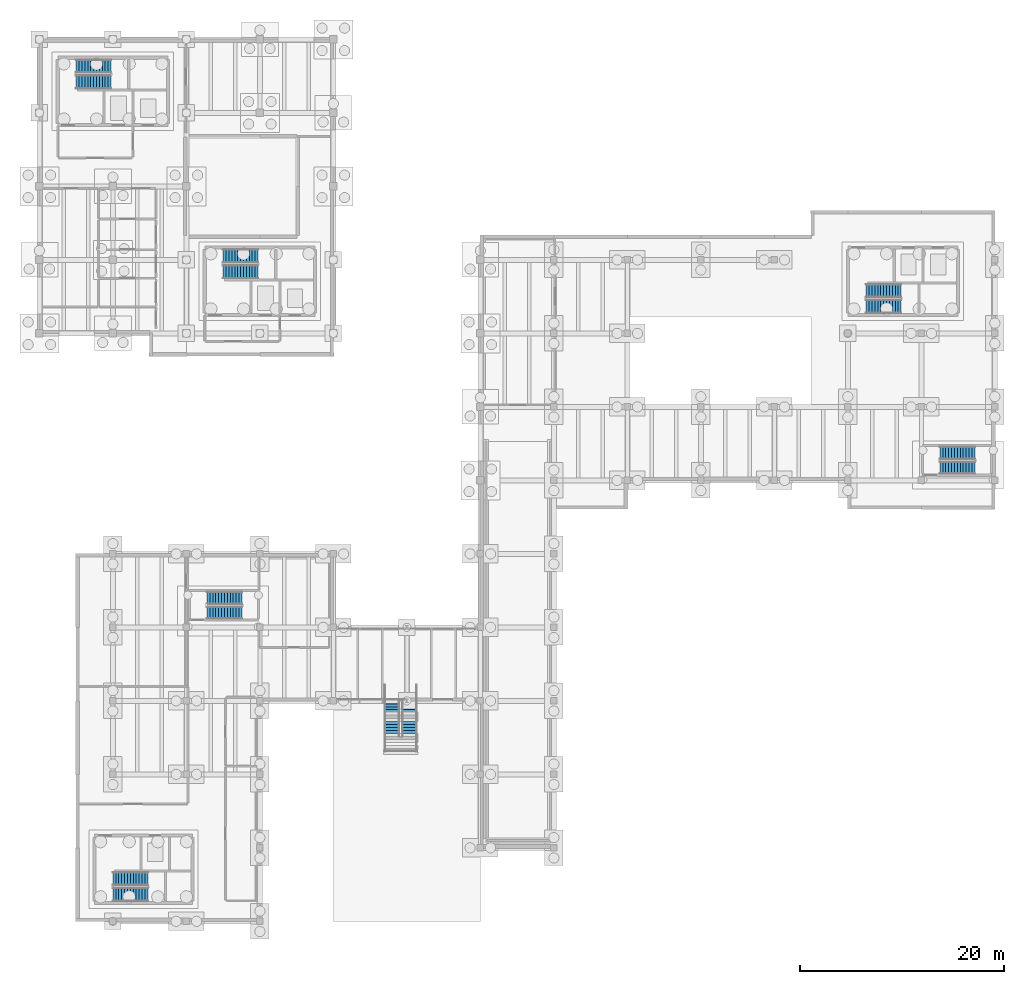
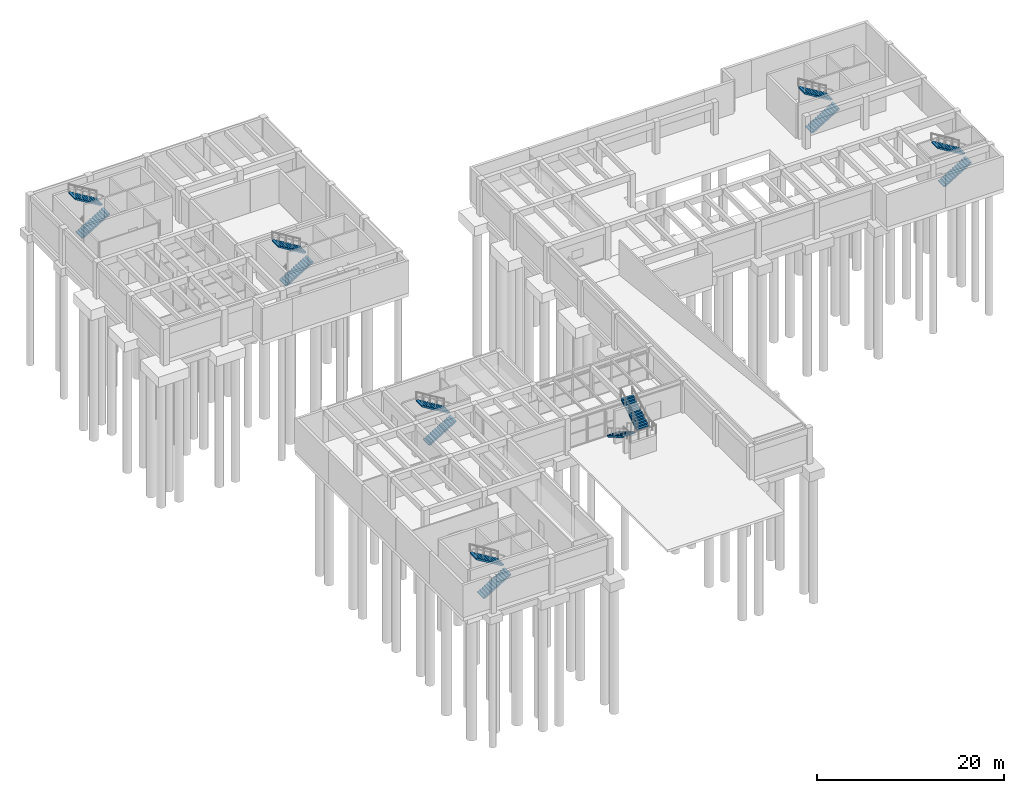
# One storey, part 22 of 28: 14 stair flights, 7 elements without a shape of their own.
"""IFC4 building model written with IfcOpenShell, lengths in metres."""

from ifc_helpers import new_model, si_unit, direction, frame, origin, place, context, subcontext, project, spatial, polyline, outline, extrude, material, type_object, element, aggregate, save


model = new_model("IFC4")

# Units and contexts
model_context = context("Model", 3, precision=1e-05, world=origin(), true_north=direction((0.0, 1.0)))
body_context = subcontext(model_context, "Body", "Model", "MODEL_VIEW")
ifc_project = project(units=[si_unit("LENGTHUNIT", "METRE"), si_unit("AREAUNIT", "SQUARE_METRE"), si_unit("VOLUMEUNIT", "CUBIC_METRE"), si_unit("PLANEANGLEUNIT", "RADIAN"), si_unit("MASSUNIT", "GRAM", prefix="KILO")], contexts=[model_context])

# Site, building, storey
site_placement = place(None, origin())
site = spatial("IfcSite", under=ifc_project, at=site_placement, CompositionType="ELEMENT")
building_placement = place(site_placement, origin())
building = spatial("IfcBuilding", under=site, at=building_placement, Name="Bramvelor Terrace Health Centre", CompositionType="ELEMENT")
storey_placement = place(building_placement, frame((0.0, 0.0, -4.5)))
storey = spatial("IfcBuildingStorey", under=building, at=storey_placement, Name="B1", CompositionType="ELEMENT", Elevation=-4.5)

# Stair, stair flights
ifc_material_1 = material(Name="Concrete C40/50", Category="concrete")
stair_type_1 = type_object("IfcStairType", Name="STR-CORE", PredefinedType="HALF_TURN_STAIR", material=ifc_material_1)
stair_1_placement = place(storey_placement, origin())
stair_1 = element("IfcStair", 1, at=stair_1_placement, inside=storey, type_object=stair_type_1, Name="B1 C1 Primary Fire Stair", PredefinedType="HALF_TURN_STAIR")
ifc_material_2 = material(Name="Concrete C40/50", Category="concrete")
stair_flight_type_1 = type_object("IfcStairFlightType", Name="STRF-CORE", PredefinedType="STRAIGHT", material=ifc_material_2)
stair_flight_1_placement = place(storey_placement, frame((3.60009765625, 111.02490234375, 0.0), z_axis=(0.0, 0.0, 1.0), x_axis=(1.0, 0.0, 0.0)))
stair_flight_1 = element("IfcStairFlight", 2, at=stair_flight_1_placement, type_object=stair_flight_type_1, Name="ST-1 flight 1", NumberOfRisers=13, NumberOfTreads=12, PredefinedType="STRAIGHT", RiserHeight=0.173076923, TreadLength=0.285, context=body_context, shape_type="SweptSolid", body=[
    extrude(outline(polyline([(0.0, 0.0), (0.0, 0.173095703125), (0.284912109375, 0.173095703125), (0.284912109375, 0.34619140625), (0.570068359375, 0.34619140625), (0.570068359375, 0.519287109375), (0.85498046875, 0.519287109375), (0.85498046875, 0.6923828125), (1.139892578125, 0.6923828125), (1.139892578125, 0.865478515625), (1.425048828125, 0.865478515625), (1.425048828125, 1.03857421875), (1.7099609375, 1.03857421875), (1.7099609375, 1.21142578125), (1.9951171875, 1.21142578125), (1.9951171875, 1.384521484375), (2.280029296875, 1.384521484375), (2.280029296875, 1.5576171875), (2.56494140625, 1.5576171875), (2.56494140625, 1.730712890625), (2.85009765625, 1.730712890625), (2.85009765625, 1.90380859375), (3.135009765625, 1.90380859375), (3.135009765625, 2.076904296875), (3.419921875, 2.076904296875), (3.419921875, 2.25), (3.419921875, 1.901611328125), (0.288818359375, 0.0), (0.0, 0.0)])), frame((0.0, 0.675048828125, 0.0), z_axis=(0.0, -1.0, 0.0), x_axis=(1.0, 0.0, 0.0)), (0.0, 0.0, 1.0), 1.35009765625),
])
stair_flight_2_placement = place(storey_placement, frame((7.02001953125, 112.574951171875, 2.25), z_axis=(0.0, 0.0, 1.0), x_axis=(-1.0, 0.0, 0.0)))
stair_flight_2 = element("IfcStairFlight", 3, at=stair_flight_2_placement, type_object=stair_flight_type_1, Name="ST-1 flight 2", NumberOfRisers=13, NumberOfTreads=12, PredefinedType="STRAIGHT", RiserHeight=0.173076923, TreadLength=0.285, context=body_context, shape_type="SweptSolid", body=[
    extrude(outline(polyline([(0.0, 0.0), (0.0, 0.173095703125), (0.284912109375, 0.173095703125), (0.284912109375, 0.34619140625), (0.570068359375, 0.34619140625), (0.570068359375, 0.519287109375), (0.85498046875, 0.519287109375), (0.85498046875, 0.6923828125), (1.139892578125, 0.6923828125), (1.139892578125, 0.865478515625), (1.425048828125, 0.865478515625), (1.425048828125, 1.03857421875), (1.7099609375, 1.03857421875), (1.7099609375, 1.21142578125), (1.9951171875, 1.21142578125), (1.9951171875, 1.384521484375), (2.280029296875, 1.384521484375), (2.280029296875, 1.5576171875), (2.56494140625, 1.5576171875), (2.56494140625, 1.730712890625), (2.85009765625, 1.730712890625), (2.85009765625, 1.90380859375), (3.135009765625, 1.90380859375), (3.135009765625, 2.076904296875), (3.419921875, 2.076904296875), (3.419921875, 2.25), (3.419921875, 1.901611328125), (0.288818359375, 0.0), (0.0, 0.0)])), frame((0.0, 0.675048828125, 0.0), z_axis=(0.0, -1.0, 0.0), x_axis=(1.0, 0.0, 0.0)), (0.0, 0.0, 1.0), 1.35009765625),
])
aggregate(stair_1, [stair_flight_1, stair_flight_2])

stair_2_placement = place(storey_placement, origin())
stair_2 = element("IfcStair", 4, at=stair_2_placement, inside=storey, type_object=stair_type_1, Name="B1 C2 Primary Fire Stair", PredefinedType="HALF_TURN_STAIR")
stair_flight_3_placement = place(storey_placement, frame((18.0, 92.425048828125, 0.0), z_axis=(0.0, 0.0, 1.0), x_axis=(1.0, 0.0, 0.0)))
stair_flight_3 = element("IfcStairFlight", 5, at=stair_flight_3_placement, type_object=stair_flight_type_1, Name="ST-2 flight 1", NumberOfRisers=13, NumberOfTreads=12, PredefinedType="STRAIGHT", RiserHeight=0.173076923, TreadLength=0.285, context=body_context, shape_type="SweptSolid", body=[
    extrude(outline(polyline([(0.0, 0.0), (0.0, 0.173095703125), (0.284912109375, 0.173095703125), (0.284912109375, 0.34619140625), (0.570068359375, 0.34619140625), (0.570068359375, 0.519287109375), (0.85498046875, 0.519287109375), (0.85498046875, 0.6923828125), (1.139892578125, 0.6923828125), (1.139892578125, 0.865478515625), (1.425048828125, 0.865478515625), (1.425048828125, 1.03857421875), (1.7099609375, 1.03857421875), (1.7099609375, 1.21142578125), (1.9951171875, 1.21142578125), (1.9951171875, 1.384521484375), (2.280029296875, 1.384521484375), (2.280029296875, 1.5576171875), (2.56494140625, 1.5576171875), (2.56494140625, 1.730712890625), (2.85009765625, 1.730712890625), (2.85009765625, 1.90380859375), (3.135009765625, 1.90380859375), (3.135009765625, 2.076904296875), (3.419921875, 2.076904296875), (3.419921875, 2.25), (3.419921875, 1.901611328125), (0.288818359375, 0.0), (0.0, 0.0)])), frame((0.0, 0.675048828125, 0.0), z_axis=(0.0, -1.0, 0.0), x_axis=(1.0, 0.0, 0.0)), (0.0, 0.0, 1.0), 1.35009765625),
])
stair_flight_4_placement = place(storey_placement, frame((21.419921875, 93.97509765625, 2.25), z_axis=(0.0, 0.0, 1.0), x_axis=(-1.0, 0.0, 0.0)))
stair_flight_4 = element("IfcStairFlight", 6, at=stair_flight_4_placement, type_object=stair_flight_type_1, Name="ST-2 flight 2", NumberOfRisers=13, NumberOfTreads=12, PredefinedType="STRAIGHT", RiserHeight=0.173076923, TreadLength=0.285, context=body_context, shape_type="SweptSolid", body=[
    extrude(outline(polyline([(0.0, 0.0), (0.0, 0.173095703125), (0.284912109375, 0.173095703125), (0.284912109375, 0.34619140625), (0.570068359375, 0.34619140625), (0.570068359375, 0.519287109375), (0.85498046875, 0.519287109375), (0.85498046875, 0.6923828125), (1.139892578125, 0.6923828125), (1.139892578125, 0.865478515625), (1.425048828125, 0.865478515625), (1.425048828125, 1.03857421875), (1.7099609375, 1.03857421875), (1.7099609375, 1.21142578125), (1.9951171875, 1.21142578125), (1.9951171875, 1.384521484375), (2.280029296875, 1.384521484375), (2.280029296875, 1.5576171875), (2.56494140625, 1.5576171875), (2.56494140625, 1.730712890625), (2.85009765625, 1.730712890625), (2.85009765625, 1.90380859375), (3.135009765625, 1.90380859375), (3.135009765625, 2.076904296875), (3.419921875, 2.076904296875), (3.419921875, 2.25), (3.419921875, 1.901611328125), (0.288818359375, 0.0), (0.0, 0.0)])), frame((0.0, 0.675048828125, 0.0), z_axis=(0.0, -1.0, 0.0), x_axis=(1.0, 0.0, 0.0)), (0.0, 0.0, 1.0), 1.35009765625),
])
aggregate(stair_2, [stair_flight_3, stair_flight_4])

stair_3_placement = place(storey_placement, origin())
stair_3 = element("IfcStair", 7, at=stair_3_placement, inside=storey, type_object=stair_type_1, Name="B1 C3 Primary Fire Stair", PredefinedType="HALF_TURN_STAIR")
stair_flight_5_placement = place(storey_placement, frame((7.199951171875, 31.425048828125, 0.0), z_axis=(0.0, 0.0, 1.0), x_axis=(1.0, 0.0, 0.0)))
stair_flight_5 = element("IfcStairFlight", 8, at=stair_flight_5_placement, type_object=stair_flight_type_1, Name="ST-3 flight 1", NumberOfRisers=13, NumberOfTreads=12, PredefinedType="STRAIGHT", RiserHeight=0.173076923, TreadLength=0.285, context=body_context, shape_type="SweptSolid", body=[
    extrude(outline(polyline([(0.0, 0.0), (0.0, 0.173095703125), (0.284912109375, 0.173095703125), (0.284912109375, 0.34619140625), (0.570068359375, 0.34619140625), (0.570068359375, 0.519287109375), (0.85498046875, 0.519287109375), (0.85498046875, 0.6923828125), (1.139892578125, 0.6923828125), (1.139892578125, 0.865478515625), (1.425048828125, 0.865478515625), (1.425048828125, 1.03857421875), (1.7099609375, 1.03857421875), (1.7099609375, 1.21142578125), (1.9951171875, 1.21142578125), (1.9951171875, 1.384521484375), (2.280029296875, 1.384521484375), (2.280029296875, 1.5576171875), (2.56494140625, 1.5576171875), (2.56494140625, 1.730712890625), (2.85009765625, 1.730712890625), (2.85009765625, 1.90380859375), (3.135009765625, 1.90380859375), (3.135009765625, 2.076904296875), (3.419921875, 2.076904296875), (3.419921875, 2.25), (3.419921875, 1.901611328125), (0.288818359375, 0.0), (0.0, 0.0)])), frame((0.0, 0.675048828125, 0.0), z_axis=(0.0, -1.0, 0.0), x_axis=(1.0, 0.0, 0.0)), (0.0, 0.0, 1.0), 1.35009765625),
])
stair_flight_6_placement = place(storey_placement, frame((10.6201171875, 32.97509765625, 2.25), z_axis=(0.0, 0.0, 1.0), x_axis=(-1.0, 0.0, 0.0)))
stair_flight_6 = element("IfcStairFlight", 9, at=stair_flight_6_placement, type_object=stair_flight_type_1, Name="ST-3 flight 2", NumberOfRisers=13, NumberOfTreads=12, PredefinedType="STRAIGHT", RiserHeight=0.173076923, TreadLength=0.285, context=body_context, shape_type="SweptSolid", body=[
    extrude(outline(polyline([(0.0, 0.0), (0.0, 0.173095703125), (0.284912109375, 0.173095703125), (0.284912109375, 0.34619140625), (0.570068359375, 0.34619140625), (0.570068359375, 0.519287109375), (0.85498046875, 0.519287109375), (0.85498046875, 0.6923828125), (1.139892578125, 0.6923828125), (1.139892578125, 0.865478515625), (1.425048828125, 0.865478515625), (1.425048828125, 1.03857421875), (1.7099609375, 1.03857421875), (1.7099609375, 1.21142578125), (1.9951171875, 1.21142578125), (1.9951171875, 1.384521484375), (2.280029296875, 1.384521484375), (2.280029296875, 1.5576171875), (2.56494140625, 1.5576171875), (2.56494140625, 1.730712890625), (2.85009765625, 1.730712890625), (2.85009765625, 1.90380859375), (3.135009765625, 1.90380859375), (3.135009765625, 2.076904296875), (3.419921875, 2.076904296875), (3.419921875, 2.25), (3.419921875, 1.901611328125), (0.288818359375, 0.0), (0.0, 0.0)])), frame((0.0, 0.675048828125, 0.0), z_axis=(0.0, -1.0, 0.0), x_axis=(1.0, 0.0, 0.0)), (0.0, 0.0, 1.0), 1.35009765625),
])
aggregate(stair_3, [stair_flight_5, stair_flight_6])

stair_4_placement = place(storey_placement, origin())
stair_4 = element("IfcStair", 10, at=stair_4_placement, inside=storey, type_object=stair_type_1, Name="B1 C4 Primary Fire Stair", PredefinedType="HALF_TURN_STAIR")
stair_flight_7_placement = place(storey_placement, frame((81.0, 89.02490234375, 0.0), z_axis=(0.0, 0.0, 1.0), x_axis=(1.0, 0.0, 0.0)))
stair_flight_7 = element("IfcStairFlight", 11, at=stair_flight_7_placement, type_object=stair_flight_type_1, Name="ST-4 flight 1", NumberOfRisers=13, NumberOfTreads=12, PredefinedType="STRAIGHT", RiserHeight=0.173076923, TreadLength=0.285, context=body_context, shape_type="SweptSolid", body=[
    extrude(outline(polyline([(0.0, 0.0), (0.0, 0.173095703125), (0.284912109375, 0.173095703125), (0.284912109375, 0.34619140625), (0.570068359375, 0.34619140625), (0.570068359375, 0.519287109375), (0.85498046875, 0.519287109375), (0.85498046875, 0.6923828125), (1.139892578125, 0.6923828125), (1.139892578125, 0.865478515625), (1.425048828125, 0.865478515625), (1.425048828125, 1.03857421875), (1.7099609375, 1.03857421875), (1.7099609375, 1.21142578125), (1.9951171875, 1.21142578125), (1.9951171875, 1.384521484375), (2.280029296875, 1.384521484375), (2.280029296875, 1.5576171875), (2.56494140625, 1.5576171875), (2.56494140625, 1.730712890625), (2.85009765625, 1.730712890625), (2.85009765625, 1.90380859375), (3.135009765625, 1.90380859375), (3.135009765625, 2.076904296875), (3.419921875, 2.076904296875), (3.419921875, 2.25), (3.419921875, 1.901611328125), (0.288818359375, 0.0), (0.0, 0.0)])), frame((0.0, 0.675048828125, 0.0), z_axis=(0.0, -1.0, 0.0), x_axis=(1.0, 0.0, 0.0)), (0.0, 0.0, 1.0), 1.35009765625),
])
stair_flight_8_placement = place(storey_placement, frame((84.419921875, 90.574951171875, 2.25), z_axis=(0.0, 0.0, 1.0), x_axis=(-1.0, 0.0, 0.0)))
stair_flight_8 = element("IfcStairFlight", 12, at=stair_flight_8_placement, type_object=stair_flight_type_1, Name="ST-4 flight 2", NumberOfRisers=13, NumberOfTreads=12, PredefinedType="STRAIGHT", RiserHeight=0.173076923, TreadLength=0.285, context=body_context, shape_type="SweptSolid", body=[
    extrude(outline(polyline([(0.0, 0.0), (0.0, 0.173095703125), (0.284912109375, 0.173095703125), (0.284912109375, 0.34619140625), (0.570068359375, 0.34619140625), (0.570068359375, 0.519287109375), (0.85498046875, 0.519287109375), (0.85498046875, 0.6923828125), (1.139892578125, 0.6923828125), (1.139892578125, 0.865478515625), (1.425048828125, 0.865478515625), (1.425048828125, 1.03857421875), (1.7099609375, 1.03857421875), (1.7099609375, 1.21142578125), (1.9951171875, 1.21142578125), (1.9951171875, 1.384521484375), (2.280029296875, 1.384521484375), (2.280029296875, 1.5576171875), (2.56494140625, 1.5576171875), (2.56494140625, 1.730712890625), (2.85009765625, 1.730712890625), (2.85009765625, 1.90380859375), (3.135009765625, 1.90380859375), (3.135009765625, 2.076904296875), (3.419921875, 2.076904296875), (3.419921875, 2.25), (3.419921875, 1.901611328125), (0.288818359375, 0.0), (0.0, 0.0)])), frame((0.0, 0.675048828125, 0.0), z_axis=(0.0, -1.0, 0.0), x_axis=(1.0, 0.0, 0.0)), (0.0, 0.0, 1.0), 1.35009765625),
])
aggregate(stair_4, [stair_flight_7, stair_flight_8])

ifc_material_3 = material(Name="Concrete C40/50", Category="concrete")
stair_type_2 = type_object("IfcStairType", Name="STR-FORE", PredefinedType="HALF_TURN_STAIR", material=ifc_material_3)
stair_5_placement = place(storey_placement, origin())
stair_5 = element("IfcStair", 13, at=stair_5_placement, inside=storey, type_object=stair_type_2, Name="B1 Sunken Metro Forecourt Stair", PredefinedType="HALF_TURN_STAIR")
ifc_material_4 = material(Name="Concrete C40/50", Category="concrete")
stair_flight_type_2 = type_object("IfcStairFlightType", Name="STRF-FORE", PredefinedType="STRAIGHT", material=ifc_material_4)
stair_flight_9_placement = place(storey_placement, frame((34.550048828125, 50.39990234375, 0.0), z_axis=(0.0, 0.0, 1.0), x_axis=(0.0, -1.0, 0.0)))
stair_flight_9 = element("IfcStairFlight", 14, at=stair_flight_9_placement, type_object=stair_flight_type_2, Name="STE-1 flight 1", NumberOfRisers=13, NumberOfTreads=12, PredefinedType="STRAIGHT", RiserHeight=0.173076923, TreadLength=0.29, context=body_context, shape_type="SweptSolid", body=[
    extrude(outline(polyline([(0.0, 0.0), (0.0, 0.173095703125), (0.2900390625, 0.173095703125), (0.2900390625, 0.34619140625), (0.580078125, 0.34619140625), (0.580078125, 0.519287109375), (0.8701171875, 0.519287109375), (0.8701171875, 0.6923828125), (1.159912109375, 0.6923828125), (1.159912109375, 0.865478515625), (1.449951171875, 0.865478515625), (1.449951171875, 1.03857421875), (1.739990234375, 1.03857421875), (1.739990234375, 1.21142578125), (2.030029296875, 1.21142578125), (2.030029296875, 1.384521484375), (2.320068359375, 1.384521484375), (2.320068359375, 1.5576171875), (2.610107421875, 1.5576171875), (2.610107421875, 1.730712890625), (2.89990234375, 1.730712890625), (2.89990234375, 1.90380859375), (3.18994140625, 1.90380859375), (3.18994140625, 2.076904296875), (3.47998046875, 2.076904296875), (3.47998046875, 2.25), (3.47998046875, 1.90234375), (0.29248046875, 0.0), (0.0, 0.0)])), frame((0.0, 0.75, 0.0), z_axis=(0.0, -1.0, 0.0), x_axis=(1.0, 0.0, 0.0)), (0.0, 0.0, 1.0), 1.5),
])
stair_flight_10_placement = place(storey_placement, frame((36.25, 46.919921875, 2.25), z_axis=(0.0, 0.0, 1.0), x_axis=(0.0, 1.0, 0.0)))
stair_flight_10 = element("IfcStairFlight", 15, at=stair_flight_10_placement, type_object=stair_flight_type_2, Name="STE-1 flight 2", NumberOfRisers=13, NumberOfTreads=12, PredefinedType="STRAIGHT", RiserHeight=0.173076923, TreadLength=0.29, context=body_context, shape_type="SweptSolid", body=[
    extrude(outline(polyline([(0.0, 0.0), (0.0, 0.173095703125), (0.2900390625, 0.173095703125), (0.2900390625, 0.34619140625), (0.580078125, 0.34619140625), (0.580078125, 0.519287109375), (0.8701171875, 0.519287109375), (0.8701171875, 0.6923828125), (1.159912109375, 0.6923828125), (1.159912109375, 0.865478515625), (1.449951171875, 0.865478515625), (1.449951171875, 1.03857421875), (1.739990234375, 1.03857421875), (1.739990234375, 1.21142578125), (2.030029296875, 1.21142578125), (2.030029296875, 1.384521484375), (2.320068359375, 1.384521484375), (2.320068359375, 1.5576171875), (2.610107421875, 1.5576171875), (2.610107421875, 1.730712890625), (2.89990234375, 1.730712890625), (2.89990234375, 1.90380859375), (3.18994140625, 1.90380859375), (3.18994140625, 2.076904296875), (3.47998046875, 2.076904296875), (3.47998046875, 2.25), (3.47998046875, 1.90234375), (0.29248046875, 0.0), (0.0, 0.0)])), frame((0.0, 0.75, 0.0), z_axis=(0.0, -1.0, 0.0), x_axis=(1.0, 0.0, 0.0)), (0.0, 0.0, 1.0), 1.5),
])
aggregate(stair_5, [stair_flight_9, stair_flight_10])

ifc_material_5 = material(Name="Concrete C40/50", Category="concrete")
stair_type_3 = type_object("IfcStairType", Name="STR-SEC", PredefinedType="HALF_TURN_STAIR", material=ifc_material_5)
stair_6_placement = place(storey_placement, origin())
stair_6 = element("IfcStair", 16, at=stair_6_placement, inside=storey, type_object=stair_type_3, Name="B1 North Pharmacy & Mental Health Exit Stair", PredefinedType="HALF_TURN_STAIR")
ifc_material_6 = material(Name="Concrete C40/50", Category="concrete")
stair_flight_type_3 = type_object("IfcStairFlightType", Name="STRF-SEC", PredefinedType="STRAIGHT", material=ifc_material_6)
stair_flight_11_placement = place(storey_placement, frame((16.419921875, 59.02490234375, 0.0), z_axis=(0.0, 0.0, 1.0), x_axis=(1.0, 0.0, 0.0)))
stair_flight_11 = element("IfcStairFlight", 17, at=stair_flight_11_placement, type_object=stair_flight_type_3, Name="ST-6 flight 1", NumberOfRisers=13, NumberOfTreads=12, PredefinedType="STRAIGHT", RiserHeight=0.173076923, TreadLength=0.285, context=body_context, shape_type="SweptSolid", body=[
    extrude(outline(polyline([(0.0, 0.0), (0.0, 0.173095703125), (0.284912109375, 0.173095703125), (0.284912109375, 0.34619140625), (0.570068359375, 0.34619140625), (0.570068359375, 0.519287109375), (0.85498046875, 0.519287109375), (0.85498046875, 0.6923828125), (1.139892578125, 0.6923828125), (1.139892578125, 0.865478515625), (1.425048828125, 0.865478515625), (1.425048828125, 1.03857421875), (1.7099609375, 1.03857421875), (1.7099609375, 1.21142578125), (1.9951171875, 1.21142578125), (1.9951171875, 1.384521484375), (2.280029296875, 1.384521484375), (2.280029296875, 1.5576171875), (2.56494140625, 1.5576171875), (2.56494140625, 1.730712890625), (2.85009765625, 1.730712890625), (2.85009765625, 1.90380859375), (3.135009765625, 1.90380859375), (3.135009765625, 2.076904296875), (3.419921875, 2.076904296875), (3.419921875, 2.25), (3.419921875, 1.901611328125), (0.288818359375, 0.0), (0.0, 0.0)])), frame((0.0, 0.625, 0.0), z_axis=(0.0, -1.0, 0.0), x_axis=(1.0, 0.0, 0.0)), (0.0, 0.0, 1.0), 1.25),
])
stair_flight_12_placement = place(storey_placement, frame((19.840087890625, 60.47509765625, 2.25), z_axis=(0.0, 0.0, 1.0), x_axis=(-1.0, 0.0, 0.0)))
stair_flight_12 = element("IfcStairFlight", 18, at=stair_flight_12_placement, type_object=stair_flight_type_3, Name="ST-6 flight 2", NumberOfRisers=13, NumberOfTreads=12, PredefinedType="STRAIGHT", RiserHeight=0.173076923, TreadLength=0.285, context=body_context, shape_type="SweptSolid", body=[
    extrude(outline(polyline([(0.0, 0.0), (0.0, 0.173095703125), (0.284912109375, 0.173095703125), (0.284912109375, 0.34619140625), (0.570068359375, 0.34619140625), (0.570068359375, 0.519287109375), (0.85498046875, 0.519287109375), (0.85498046875, 0.6923828125), (1.139892578125, 0.6923828125), (1.139892578125, 0.865478515625), (1.425048828125, 0.865478515625), (1.425048828125, 1.03857421875), (1.7099609375, 1.03857421875), (1.7099609375, 1.21142578125), (1.9951171875, 1.21142578125), (1.9951171875, 1.384521484375), (2.280029296875, 1.384521484375), (2.280029296875, 1.5576171875), (2.56494140625, 1.5576171875), (2.56494140625, 1.730712890625), (2.85009765625, 1.730712890625), (2.85009765625, 1.90380859375), (3.135009765625, 1.90380859375), (3.135009765625, 2.076904296875), (3.419921875, 2.076904296875), (3.419921875, 2.25), (3.419921875, 1.901611328125), (0.288818359375, 0.0), (0.0, 0.0)])), frame((0.0, 0.625, 0.0), z_axis=(0.0, -1.0, 0.0), x_axis=(1.0, 0.0, 0.0)), (0.0, 0.0, 1.0), 1.25),
])
aggregate(stair_6, [stair_flight_11, stair_flight_12])

stair_7_placement = place(storey_placement, origin())
stair_7 = element("IfcStair", 19, at=stair_7_placement, inside=storey, type_object=stair_type_3, Name="B1 East Waiting Hall Exit Stair", PredefinedType="HALF_TURN_STAIR")
stair_flight_13_placement = place(storey_placement, frame((88.219970703125, 73.22509765625, 0.0), z_axis=(0.0, 0.0, 1.0), x_axis=(1.0, 0.0, 0.0)))
stair_flight_13 = element("IfcStairFlight", 20, at=stair_flight_13_placement, type_object=stair_flight_type_3, Name="ST-8 flight 1", NumberOfRisers=13, NumberOfTreads=12, PredefinedType="STRAIGHT", RiserHeight=0.173076923, TreadLength=0.285, context=body_context, shape_type="SweptSolid", body=[
    extrude(outline(polyline([(0.0, 0.0), (0.0, 0.173095703125), (0.284912109375, 0.173095703125), (0.284912109375, 0.34619140625), (0.570068359375, 0.34619140625), (0.570068359375, 0.519287109375), (0.85498046875, 0.519287109375), (0.85498046875, 0.6923828125), (1.139892578125, 0.6923828125), (1.139892578125, 0.865478515625), (1.425048828125, 0.865478515625), (1.425048828125, 1.03857421875), (1.7099609375, 1.03857421875), (1.7099609375, 1.21142578125), (1.9951171875, 1.21142578125), (1.9951171875, 1.384521484375), (2.280029296875, 1.384521484375), (2.280029296875, 1.5576171875), (2.56494140625, 1.5576171875), (2.56494140625, 1.730712890625), (2.85009765625, 1.730712890625), (2.85009765625, 1.90380859375), (3.135009765625, 1.90380859375), (3.135009765625, 2.076904296875), (3.419921875, 2.076904296875), (3.419921875, 2.25), (3.419921875, 1.901611328125), (0.288818359375, 0.0), (0.0, 0.0)])), frame((0.0, 0.625, 0.0), z_axis=(0.0, -1.0, 0.0), x_axis=(1.0, 0.0, 0.0)), (0.0, 0.0, 1.0), 1.25),
])
stair_flight_14_placement = place(storey_placement, frame((91.639892578125, 74.675048828125, 2.25), z_axis=(0.0, 0.0, 1.0), x_axis=(-1.0, 0.0, 0.0)))
stair_flight_14 = element("IfcStairFlight", 21, at=stair_flight_14_placement, type_object=stair_flight_type_3, Name="ST-8 flight 2", NumberOfRisers=13, NumberOfTreads=12, PredefinedType="STRAIGHT", RiserHeight=0.173076923, TreadLength=0.285, context=body_context, shape_type="SweptSolid", body=[
    extrude(outline(polyline([(0.0, 0.0), (0.0, 0.173095703125), (0.284912109375, 0.173095703125), (0.284912109375, 0.34619140625), (0.570068359375, 0.34619140625), (0.570068359375, 0.519287109375), (0.85498046875, 0.519287109375), (0.85498046875, 0.6923828125), (1.139892578125, 0.6923828125), (1.139892578125, 0.865478515625), (1.425048828125, 0.865478515625), (1.425048828125, 1.03857421875), (1.7099609375, 1.03857421875), (1.7099609375, 1.21142578125), (1.9951171875, 1.21142578125), (1.9951171875, 1.384521484375), (2.280029296875, 1.384521484375), (2.280029296875, 1.5576171875), (2.56494140625, 1.5576171875), (2.56494140625, 1.730712890625), (2.85009765625, 1.730712890625), (2.85009765625, 1.90380859375), (3.135009765625, 1.90380859375), (3.135009765625, 2.076904296875), (3.419921875, 2.076904296875), (3.419921875, 2.25), (3.419921875, 1.901611328125), (0.288818359375, 0.0), (0.0, 0.0)])), frame((0.0, 0.625, 0.0), z_axis=(0.0, -1.0, 0.0), x_axis=(1.0, 0.0, 0.0)), (0.0, 0.0, 1.0), 1.25),
])
aggregate(stair_7, [stair_flight_13, stair_flight_14])

save(model, "model.ifc")
